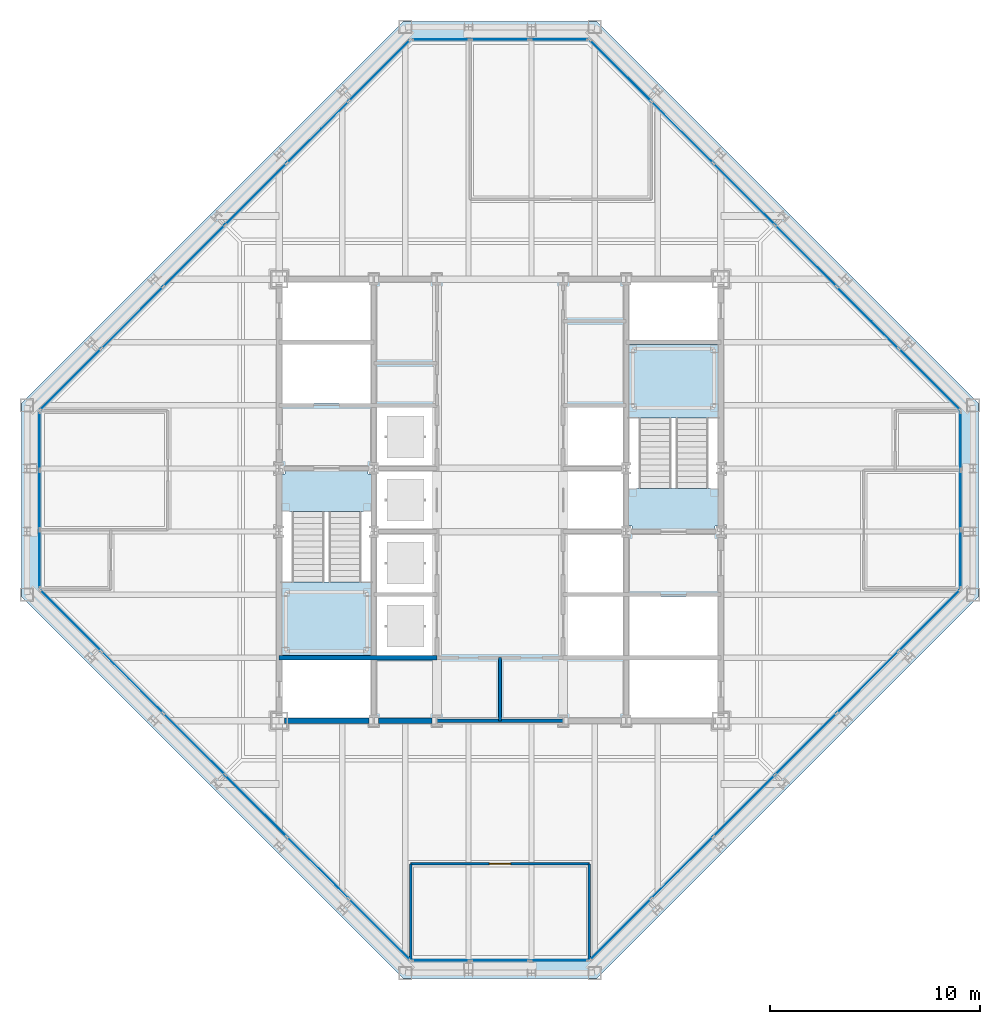
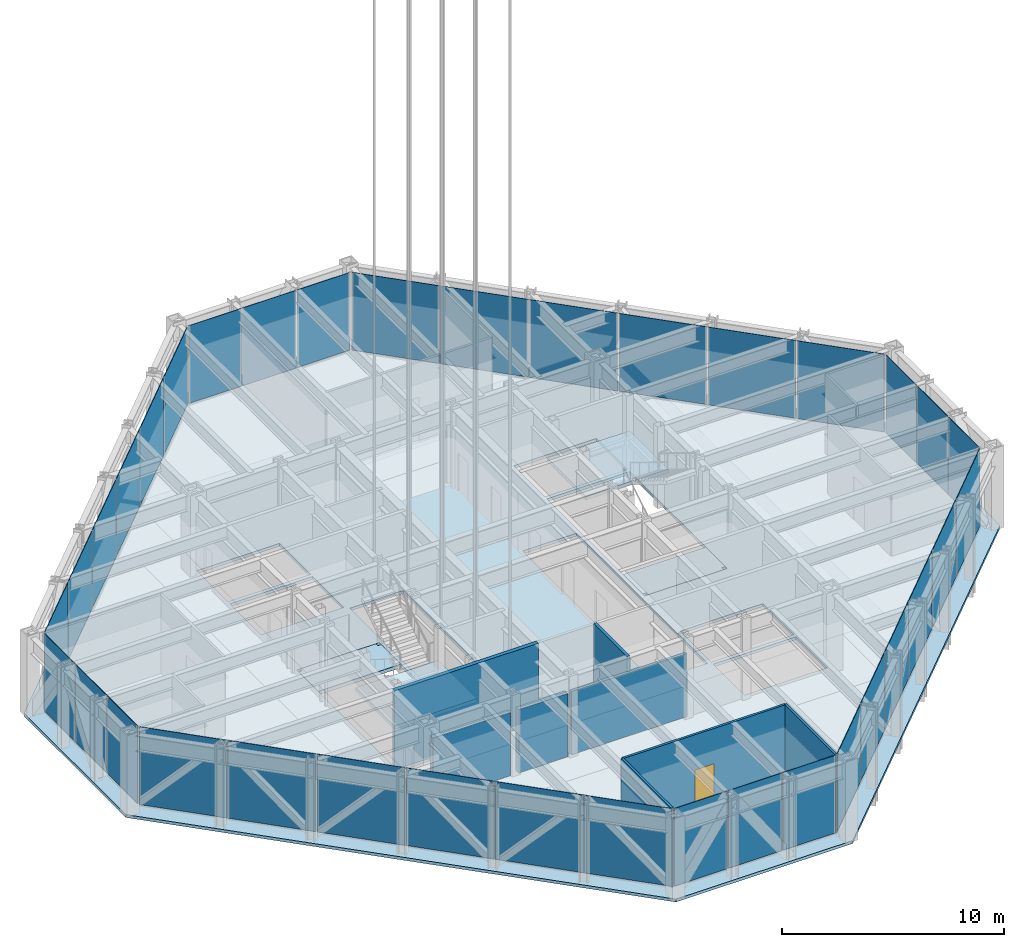
# One storey, part 9 of 24: 36 plates, 8 walls, 5 slabs, 1 door, 1 opening, 10 elements without a shape of their own.
"""IFC4 building model written with IfcOpenShell, lengths in metres."""

from ifc_helpers import new_model, si_unit, direction, frame, frame_2d, origin, origin_2d, place, context, subcontext, project, spatial, polyline, rectangle, outline, extrude, material, layer, layer_set, type_object, element, fill, aggregate, save


model = new_model("IFC4")

# Units and contexts
model_context = context("Model", 3, precision=1e-05, world=origin(), true_north=direction((0.0, 1.0)))
body_context = subcontext(model_context, "Body", "Model", "MODEL_VIEW")
ifc_project = project(units=[si_unit("LENGTHUNIT", "METRE"), si_unit("AREAUNIT", "SQUARE_METRE"), si_unit("VOLUMEUNIT", "CUBIC_METRE"), si_unit("PLANEANGLEUNIT", "RADIAN"), si_unit("MASSUNIT", "GRAM", prefix="KILO")], contexts=[model_context])

# Site, building, storey
site_placement = place(None, origin())
site = spatial("IfcSite", under=ifc_project, at=site_placement, CompositionType="ELEMENT")
building_placement = place(site_placement, origin())
building = spatial("IfcBuilding", under=site, at=building_placement, Name="Chuquiago Exchange Tower", CompositionType="ELEMENT")
storey_placement = place(building_placement, frame((0.0, 0.0, 257.699951171875)))
storey = spatial("IfcBuildingStorey", under=building, at=storey_placement, Name="L57", CompositionType="ELEMENT", Elevation=257.699951171875)

# Curtain wall, plate
ifc_material_1 = material(Name="Aluminium curtain wall system", Category="aluminium")
ifc_layer_1 = layer(ifc_material_1, 0.22509765625)
ifc_layer_set_1 = layer_set([ifc_layer_1], Name="CW2 office curtain wall")
curtain_wall_type_1 = type_object("IfcCurtainWallType", Name="CW2 office curtain wall", PredefinedType="NOTDEFINED", material=ifc_layer_set_1)
curtain_wall_1_placement = place(storey_placement, origin())
curtain_wall_1 = element("IfcCurtainWall", 1, at=curtain_wall_1_placement, inside=storey, type_object=curtain_wall_type_1, Name="CW2 curtain wall L57", PredefinedType="NOTDEFINED")
ifc_material_2 = material(Name="Glass, insulating unit", Category="glass")
ifc_layer_2 = layer(ifc_material_2, 0.030029296875)
ifc_layer_set_2 = layer_set([ifc_layer_2], Name="CW2-P panel 30")
plate_type_1 = type_object("IfcPlateType", Name="CW2-P panel 30", PredefinedType="CURTAIN_PANEL", material=ifc_layer_set_2)
plate_1_placement = place(storey_placement, frame((25.318115234375, 0.60009765625, 0.065185546875), z_axis=(0.0, 0.0, 1.0), x_axis=(1.0, 0.0, 0.0)))
plate_1 = element("IfcPlate", 2, at=plate_1_placement, type_object=plate_type_1, Name="CW2 panel 3.1", PredefinedType="CURTAIN_PANEL", context=body_context, shape_type="SweptSolid", body=[
    extrude(rectangle(XDim=2.73681640625, YDim=0.030029296875, at=origin_2d()), origin(), (0.0, 0.0, 1.0), 4.27490234375),
])

curtain_wall_2_placement = place(storey_placement, origin())
curtain_wall_2 = element("IfcCurtainWall", 3, at=curtain_wall_2_placement, inside=storey, type_object=curtain_wall_type_1, Name="CW2 curtain wall L57", PredefinedType="NOTDEFINED")
plate_2_placement = place(storey_placement, frame((44.39990234375, 25.318115234375, 0.065185546875), z_axis=(0.0, 0.0, 1.0), x_axis=(0.0, 1.0, 0.0)))
plate_2 = element("IfcPlate", 4, at=plate_2_placement, type_object=plate_type_1, Name="CW2 panel 3.1", PredefinedType="CURTAIN_PANEL", context=body_context, shape_type="SweptSolid", body=[
    extrude(rectangle(XDim=2.73681640625, YDim=0.030029296875, at=origin_2d()), origin(), (0.0, 0.0, 1.0), 4.27490234375),
])

curtain_wall_3_placement = place(storey_placement, origin())
curtain_wall_3 = element("IfcCurtainWall", 5, at=curtain_wall_3_placement, inside=storey, type_object=curtain_wall_type_1, Name="CW2 curtain wall L57", PredefinedType="NOTDEFINED")
plate_3_placement = place(storey_placement, frame((19.681884765625, 44.39990234375, 0.065185546875), z_axis=(0.0, 0.0, 1.0), x_axis=(-1.0, 0.0, 0.0)))
plate_3 = element("IfcPlate", 6, at=plate_3_placement, type_object=plate_type_1, Name="CW2 panel 3.1", PredefinedType="CURTAIN_PANEL", context=body_context, shape_type="SweptSolid", body=[
    extrude(rectangle(XDim=2.73681640625, YDim=0.030029296875, at=origin_2d()), origin(), (0.0, 0.0, 1.0), 4.27490234375),
])

curtain_wall_4_placement = place(storey_placement, origin())
curtain_wall_4 = element("IfcCurtainWall", 7, at=curtain_wall_4_placement, inside=storey, type_object=curtain_wall_type_1, Name="CW2 curtain wall L57", PredefinedType="NOTDEFINED")
plate_4_placement = place(storey_placement, frame((0.60009765625, 19.681884765625, 0.065185546875), z_axis=(0.0, 0.0, 1.0), x_axis=(0.0, -1.0, 0.0)))
plate_4 = element("IfcPlate", 8, at=plate_4_placement, type_object=plate_type_1, Name="CW2 panel 3.1", PredefinedType="CURTAIN_PANEL", context=body_context, shape_type="SweptSolid", body=[
    extrude(rectangle(XDim=2.73681640625, YDim=0.030029296875, at=origin_2d()), origin(), (0.0, 0.0, 1.0), 4.27490234375),
])

# Plate
ifc_material_3 = material(Name="Insulated spandrel panel, pale anodised aluminium", Category="aluminium")
ifc_layer_3 = layer(ifc_material_3, 0.030029296875)
ifc_layer_set_3 = layer_set([ifc_layer_3], Name="CW2-P spandrel panel 30")
plate_type_2 = type_object("IfcPlateType", Name="CW2-P spandrel panel 30", PredefinedType="CURTAIN_PANEL", material=ifc_layer_set_3)
plate_5_placement = place(storey_placement, frame((19.681884765625, 0.60009765625, 0.065185546875), z_axis=(0.0, 0.0, 1.0), x_axis=(1.0, 0.0, 0.0)))
plate_5 = element("IfcPlate", 9, at=plate_5_placement, type_object=plate_type_2, Name="CW2 panel 1.1", PredefinedType="CURTAIN_PANEL", context=body_context, shape_type="SweptSolid", body=[
    extrude(rectangle(XDim=2.73681640625, YDim=0.030029296875, at=origin_2d()), origin(), (0.0, 0.0, 1.0), 4.27490234375),
])

plate_6_placement = place(storey_placement, frame((22.5, 0.60009765625, 0.065185546875), z_axis=(0.0, 0.0, 1.0), x_axis=(1.0, 0.0, 0.0)))
plate_6 = element("IfcPlate", 10, at=plate_6_placement, type_object=plate_type_2, Name="CW2 panel 2.1", PredefinedType="CURTAIN_PANEL", context=body_context, shape_type="SweptSolid", body=[
    extrude(rectangle(XDim=2.769287109375, YDim=0.030029296875, at=origin_2d()), origin(), (0.0, 0.0, 1.0), 4.27490234375),
])

aggregate(curtain_wall_1, [plate_5, plate_6, plate_1])

plate_7_placement = place(storey_placement, frame((44.39990234375, 19.681884765625, 0.065185546875), z_axis=(0.0, 0.0, 1.0), x_axis=(0.0, 1.0, 0.0)))
plate_7 = element("IfcPlate", 11, at=plate_7_placement, type_object=plate_type_2, Name="CW2 panel 1.1", PredefinedType="CURTAIN_PANEL", context=body_context, shape_type="SweptSolid", body=[
    extrude(rectangle(XDim=2.73681640625, YDim=0.030029296875, at=origin_2d()), origin(), (0.0, 0.0, 1.0), 4.27490234375),
])

plate_8_placement = place(storey_placement, frame((44.39990234375, 22.5, 0.065185546875), z_axis=(0.0, 0.0, 1.0), x_axis=(0.0, 1.0, 0.0)))
plate_8 = element("IfcPlate", 12, at=plate_8_placement, type_object=plate_type_2, Name="CW2 panel 2.1", PredefinedType="CURTAIN_PANEL", context=body_context, shape_type="SweptSolid", body=[
    extrude(rectangle(XDim=2.769287109375, YDim=0.030029296875, at=origin_2d()), origin(), (0.0, 0.0, 1.0), 4.27490234375),
])

aggregate(curtain_wall_2, [plate_7, plate_8, plate_2])

plate_9_placement = place(storey_placement, frame((25.318115234375, 44.39990234375, 0.065185546875), z_axis=(0.0, 0.0, 1.0), x_axis=(-1.0, 0.0, 0.0)))
plate_9 = element("IfcPlate", 13, at=plate_9_placement, type_object=plate_type_2, Name="CW2 panel 1.1", PredefinedType="CURTAIN_PANEL", context=body_context, shape_type="SweptSolid", body=[
    extrude(rectangle(XDim=2.73681640625, YDim=0.030029296875, at=origin_2d()), origin(), (0.0, 0.0, 1.0), 4.27490234375),
])

plate_10_placement = place(storey_placement, frame((22.5, 44.39990234375, 0.065185546875), z_axis=(0.0, 0.0, 1.0), x_axis=(-1.0, 0.0, 0.0)))
plate_10 = element("IfcPlate", 14, at=plate_10_placement, type_object=plate_type_2, Name="CW2 panel 2.1", PredefinedType="CURTAIN_PANEL", context=body_context, shape_type="SweptSolid", body=[
    extrude(rectangle(XDim=2.769287109375, YDim=0.030029296875, at=origin_2d()), origin(), (0.0, 0.0, 1.0), 4.27490234375),
])

aggregate(curtain_wall_3, [plate_9, plate_10, plate_3])

plate_11_placement = place(storey_placement, frame((0.60009765625, 25.318115234375, 0.065185546875), z_axis=(0.0, 0.0, 1.0), x_axis=(0.0, -1.0, 0.0)))
plate_11 = element("IfcPlate", 15, at=plate_11_placement, type_object=plate_type_2, Name="CW2 panel 1.1", PredefinedType="CURTAIN_PANEL", context=body_context, shape_type="SweptSolid", body=[
    extrude(rectangle(XDim=2.73681640625, YDim=0.030029296875, at=origin_2d()), origin(), (0.0, 0.0, 1.0), 4.27490234375),
])

plate_12_placement = place(storey_placement, frame((0.60009765625, 22.5, 0.065185546875), z_axis=(0.0, 0.0, 1.0), x_axis=(0.0, -1.0, 0.0)))
plate_12 = element("IfcPlate", 16, at=plate_12_placement, type_object=plate_type_2, Name="CW2 panel 2.1", PredefinedType="CURTAIN_PANEL", context=body_context, shape_type="SweptSolid", body=[
    extrude(rectangle(XDim=2.769287109375, YDim=0.030029296875, at=origin_2d()), origin(), (0.0, 0.0, 1.0), 4.27490234375),
])

aggregate(curtain_wall_4, [plate_11, plate_12, plate_4])

# Curtain wall, plates
ifc_material_4 = material(Name="Aluminium curtain wall system", Category="aluminium")
ifc_layer_4 = layer(ifc_material_4, 0.199951171875)
ifc_layer_set_4 = layer_set([ifc_layer_4], Name="CW3 facet curtain wall")
curtain_wall_type_2 = type_object("IfcCurtainWallType", Name="CW3 facet curtain wall", PredefinedType="NOTDEFINED", material=ifc_layer_set_4)
curtain_wall_5_placement = place(storey_placement, origin())
curtain_wall_5 = element("IfcCurtainWall", 17, at=curtain_wall_5_placement, inside=storey, type_object=curtain_wall_type_2, Name="CW3 curtain wall L57", PredefinedType="NOTDEFINED")
ifc_material_5 = material(Name="Insulated spandrel panel, pale anodised aluminium", Category="aluminium")
ifc_layer_5 = layer(ifc_material_5, 0.030029296875)
ifc_layer_set_5 = layer_set([ifc_layer_5], Name="CW3-P spandrel panel 30")
plate_type_3 = type_object("IfcPlateType", Name="CW3-P spandrel panel 30", PredefinedType="CURTAIN_PANEL", material=ifc_layer_set_5)
plate_13_placement = place(storey_placement, frame((28.233642578125, 2.082275390625, 0.065185546875), z_axis=(0.0, 0.0, 1.0), x_axis=(0.707106781187, 0.707106781187, 0.0)))
plate_13 = element("IfcPlate", 18, at=plate_13_placement, type_object=plate_type_3, Name="CW3 panel 1.1", PredefinedType="CURTAIN_PANEL", context=body_context, shape_type="SweptSolid", body=[
    extrude(rectangle(XDim=4.062255859375, YDim=0.030029296875, at=origin_2d()), origin(), (0.0, 0.0, 1.0), 4.27490234375),
])
plate_14_placement = place(storey_placement, frame((31.16357421875, 5.01220703125, 0.065185546875), z_axis=(0.0, 0.0, 1.0), x_axis=(0.707106781187, 0.707106781187, 0.0)))
plate_14 = element("IfcPlate", 19, at=plate_14_placement, type_object=plate_type_3, Name="CW3 panel 2.1", PredefinedType="CURTAIN_PANEL", context=body_context, shape_type="SweptSolid", body=[
    extrude(rectangle(XDim=4.0947265625, YDim=0.030029296875, at=origin_2d()), origin(), (0.0, 0.0, 1.0), 4.27490234375),
])
plate_15_placement = place(storey_placement, frame((34.10498046875, 7.95361328125, 0.065185546875), z_axis=(0.0, 0.0, 1.0), x_axis=(0.707106781187, 0.707106781187, 0.0)))
plate_15 = element("IfcPlate", 20, at=plate_15_placement, type_object=plate_type_3, Name="CW3 panel 3.1", PredefinedType="CURTAIN_PANEL", context=body_context, shape_type="SweptSolid", body=[
    extrude(rectangle(XDim=4.0947265625, YDim=0.030029296875, at=origin_2d()), origin(), (0.0, 0.0, 1.0), 4.27490234375),
])
plate_16_placement = place(storey_placement, frame((37.04638671875, 10.89501953125, 0.065185546875), z_axis=(0.0, 0.0, 1.0), x_axis=(0.707106781187, 0.707106781187, 0.0)))
plate_16 = element("IfcPlate", 21, at=plate_16_placement, type_object=plate_type_3, Name="CW3 panel 4.1", PredefinedType="CURTAIN_PANEL", context=body_context, shape_type="SweptSolid", body=[
    extrude(rectangle(XDim=4.0947265625, YDim=0.030029296875, at=origin_2d()), origin(), (0.0, 0.0, 1.0), 4.27490234375),
])
plate_17_placement = place(storey_placement, frame((39.98779296875, 13.83642578125, 0.065185546875), z_axis=(0.0, 0.0, 1.0), x_axis=(0.707106781187, 0.707106781187, 0.0)))
plate_17 = element("IfcPlate", 22, at=plate_17_placement, type_object=plate_type_3, Name="CW3 panel 5.1", PredefinedType="CURTAIN_PANEL", context=body_context, shape_type="SweptSolid", body=[
    extrude(rectangle(XDim=4.0947265625, YDim=0.030029296875, at=origin_2d()), origin(), (0.0, 0.0, 1.0), 4.27490234375),
])
plate_18_placement = place(storey_placement, frame((42.917724609375, 16.766357421875, 0.065185546875), z_axis=(0.0, 0.0, 1.0), x_axis=(0.707106781187, 0.707106781187, 0.0)))
plate_18 = element("IfcPlate", 23, at=plate_18_placement, type_object=plate_type_3, Name="CW3 panel 6.1", PredefinedType="CURTAIN_PANEL", context=body_context, shape_type="SweptSolid", body=[
    extrude(rectangle(XDim=4.062255859375, YDim=0.030029296875, at=origin_2d()), origin(), (0.0, 0.0, 1.0), 4.27490234375),
])
aggregate(curtain_wall_5, [plate_13, plate_14, plate_15, plate_16, plate_17, plate_18])

curtain_wall_6_placement = place(storey_placement, origin())
curtain_wall_6 = element("IfcCurtainWall", 24, at=curtain_wall_6_placement, inside=storey, type_object=curtain_wall_type_2, Name="CW3 curtain wall L57", PredefinedType="NOTDEFINED")
plate_19_placement = place(storey_placement, frame((42.917724609375, 28.233642578125, 0.065185546875), z_axis=(0.0, 0.0, 1.0), x_axis=(-0.707106781187, 0.707106781187, 0.0)))
plate_19 = element("IfcPlate", 25, at=plate_19_placement, type_object=plate_type_3, Name="CW3 panel 1.1", PredefinedType="CURTAIN_PANEL", context=body_context, shape_type="SweptSolid", body=[
    extrude(rectangle(XDim=4.062255859375, YDim=0.030029296875, at=origin_2d()), origin(), (0.0, 0.0, 1.0), 4.27490234375),
])
plate_20_placement = place(storey_placement, frame((39.98779296875, 31.16357421875, 0.065185546875), z_axis=(0.0, 0.0, 1.0), x_axis=(-0.707106781187, 0.707106781187, 0.0)))
plate_20 = element("IfcPlate", 26, at=plate_20_placement, type_object=plate_type_3, Name="CW3 panel 2.1", PredefinedType="CURTAIN_PANEL", context=body_context, shape_type="SweptSolid", body=[
    extrude(rectangle(XDim=4.0947265625, YDim=0.030029296875, at=origin_2d()), origin(), (0.0, 0.0, 1.0), 4.27490234375),
])
plate_21_placement = place(storey_placement, frame((37.04638671875, 34.10498046875, 0.065185546875), z_axis=(0.0, 0.0, 1.0), x_axis=(-0.707106781187, 0.707106781187, 0.0)))
plate_21 = element("IfcPlate", 27, at=plate_21_placement, type_object=plate_type_3, Name="CW3 panel 3.1", PredefinedType="CURTAIN_PANEL", context=body_context, shape_type="SweptSolid", body=[
    extrude(rectangle(XDim=4.0947265625, YDim=0.030029296875, at=origin_2d()), origin(), (0.0, 0.0, 1.0), 4.27490234375),
])
plate_22_placement = place(storey_placement, frame((34.10498046875, 37.04638671875, 0.065185546875), z_axis=(0.0, 0.0, 1.0), x_axis=(-0.707106781187, 0.707106781187, 0.0)))
plate_22 = element("IfcPlate", 28, at=plate_22_placement, type_object=plate_type_3, Name="CW3 panel 4.1", PredefinedType="CURTAIN_PANEL", context=body_context, shape_type="SweptSolid", body=[
    extrude(rectangle(XDim=4.0947265625, YDim=0.030029296875, at=origin_2d()), origin(), (0.0, 0.0, 1.0), 4.27490234375),
])
plate_23_placement = place(storey_placement, frame((31.16357421875, 39.98779296875, 0.065185546875), z_axis=(0.0, 0.0, 1.0), x_axis=(-0.707106781187, 0.707106781187, 0.0)))
plate_23 = element("IfcPlate", 29, at=plate_23_placement, type_object=plate_type_3, Name="CW3 panel 5.1", PredefinedType="CURTAIN_PANEL", context=body_context, shape_type="SweptSolid", body=[
    extrude(rectangle(XDim=4.0947265625, YDim=0.030029296875, at=origin_2d()), origin(), (0.0, 0.0, 1.0), 4.27490234375),
])
plate_24_placement = place(storey_placement, frame((28.233642578125, 42.917724609375, 0.065185546875), z_axis=(0.0, 0.0, 1.0), x_axis=(-0.707106781187, 0.707106781187, 0.0)))
plate_24 = element("IfcPlate", 30, at=plate_24_placement, type_object=plate_type_3, Name="CW3 panel 6.1", PredefinedType="CURTAIN_PANEL", context=body_context, shape_type="SweptSolid", body=[
    extrude(rectangle(XDim=4.062255859375, YDim=0.030029296875, at=origin_2d()), origin(), (0.0, 0.0, 1.0), 4.27490234375),
])
aggregate(curtain_wall_6, [plate_19, plate_20, plate_21, plate_22, plate_23, plate_24])

curtain_wall_7_placement = place(storey_placement, origin())
curtain_wall_7 = element("IfcCurtainWall", 31, at=curtain_wall_7_placement, inside=storey, type_object=curtain_wall_type_2, Name="CW3 curtain wall L57", PredefinedType="NOTDEFINED")
plate_25_placement = place(storey_placement, frame((16.766357421875, 42.917724609375, 0.065185546875), z_axis=(0.0, 0.0, 1.0), x_axis=(-0.707106781187, -0.707106781187, 0.0)))
plate_25 = element("IfcPlate", 32, at=plate_25_placement, type_object=plate_type_3, Name="CW3 panel 1.1", PredefinedType="CURTAIN_PANEL", context=body_context, shape_type="SweptSolid", body=[
    extrude(rectangle(XDim=4.062255859375, YDim=0.030029296875, at=origin_2d()), origin(), (0.0, 0.0, 1.0), 4.27490234375),
])
plate_26_placement = place(storey_placement, frame((13.83642578125, 39.98779296875, 0.065185546875), z_axis=(0.0, 0.0, 1.0), x_axis=(-0.707106781187, -0.707106781187, 0.0)))
plate_26 = element("IfcPlate", 33, at=plate_26_placement, type_object=plate_type_3, Name="CW3 panel 2.1", PredefinedType="CURTAIN_PANEL", context=body_context, shape_type="SweptSolid", body=[
    extrude(rectangle(XDim=4.0947265625, YDim=0.030029296875, at=origin_2d()), origin(), (0.0, 0.0, 1.0), 4.27490234375),
])
plate_27_placement = place(storey_placement, frame((10.89501953125, 37.04638671875, 0.065185546875), z_axis=(0.0, 0.0, 1.0), x_axis=(-0.707106781187, -0.707106781187, 0.0)))
plate_27 = element("IfcPlate", 34, at=plate_27_placement, type_object=plate_type_3, Name="CW3 panel 3.1", PredefinedType="CURTAIN_PANEL", context=body_context, shape_type="SweptSolid", body=[
    extrude(rectangle(XDim=4.0947265625, YDim=0.030029296875, at=origin_2d()), origin(), (0.0, 0.0, 1.0), 4.27490234375),
])
plate_28_placement = place(storey_placement, frame((7.95361328125, 34.10498046875, 0.065185546875), z_axis=(0.0, 0.0, 1.0), x_axis=(-0.707106781187, -0.707106781187, 0.0)))
plate_28 = element("IfcPlate", 35, at=plate_28_placement, type_object=plate_type_3, Name="CW3 panel 4.1", PredefinedType="CURTAIN_PANEL", context=body_context, shape_type="SweptSolid", body=[
    extrude(rectangle(XDim=4.0947265625, YDim=0.030029296875, at=origin_2d()), origin(), (0.0, 0.0, 1.0), 4.27490234375),
])
plate_29_placement = place(storey_placement, frame((5.01220703125, 31.16357421875, 0.065185546875), z_axis=(0.0, 0.0, 1.0), x_axis=(-0.707106781187, -0.707106781187, 0.0)))
plate_29 = element("IfcPlate", 36, at=plate_29_placement, type_object=plate_type_3, Name="CW3 panel 5.1", PredefinedType="CURTAIN_PANEL", context=body_context, shape_type="SweptSolid", body=[
    extrude(rectangle(XDim=4.0947265625, YDim=0.030029296875, at=origin_2d()), origin(), (0.0, 0.0, 1.0), 4.27490234375),
])
plate_30_placement = place(storey_placement, frame((2.082275390625, 28.233642578125, 0.065185546875), z_axis=(0.0, 0.0, 1.0), x_axis=(-0.707106781187, -0.707106781187, 0.0)))
plate_30 = element("IfcPlate", 37, at=plate_30_placement, type_object=plate_type_3, Name="CW3 panel 6.1", PredefinedType="CURTAIN_PANEL", context=body_context, shape_type="SweptSolid", body=[
    extrude(rectangle(XDim=4.062255859375, YDim=0.030029296875, at=origin_2d()), origin(), (0.0, 0.0, 1.0), 4.27490234375),
])
aggregate(curtain_wall_7, [plate_25, plate_26, plate_27, plate_28, plate_29, plate_30])

curtain_wall_8_placement = place(storey_placement, origin())
curtain_wall_8 = element("IfcCurtainWall", 38, at=curtain_wall_8_placement, inside=storey, type_object=curtain_wall_type_2, Name="CW3 curtain wall L57", PredefinedType="NOTDEFINED")
plate_31_placement = place(storey_placement, frame((2.082275390625, 16.766357421875, 0.065185546875), z_axis=(0.0, 0.0, 1.0), x_axis=(0.707106781187, -0.707106781187, 0.0)))
plate_31 = element("IfcPlate", 39, at=plate_31_placement, type_object=plate_type_3, Name="CW3 panel 1.1", PredefinedType="CURTAIN_PANEL", context=body_context, shape_type="SweptSolid", body=[
    extrude(rectangle(XDim=4.062255859375, YDim=0.030029296875, at=origin_2d()), origin(), (0.0, 0.0, 1.0), 4.27490234375),
])
plate_32_placement = place(storey_placement, frame((5.01220703125, 13.83642578125, 0.065185546875), z_axis=(0.0, 0.0, 1.0), x_axis=(0.707106781187, -0.707106781187, 0.0)))
plate_32 = element("IfcPlate", 40, at=plate_32_placement, type_object=plate_type_3, Name="CW3 panel 2.1", PredefinedType="CURTAIN_PANEL", context=body_context, shape_type="SweptSolid", body=[
    extrude(rectangle(XDim=4.0947265625, YDim=0.030029296875, at=origin_2d()), origin(), (0.0, 0.0, 1.0), 4.27490234375),
])
plate_33_placement = place(storey_placement, frame((7.95361328125, 10.89501953125, 0.065185546875), z_axis=(0.0, 0.0, 1.0), x_axis=(0.707106781187, -0.707106781187, 0.0)))
plate_33 = element("IfcPlate", 41, at=plate_33_placement, type_object=plate_type_3, Name="CW3 panel 3.1", PredefinedType="CURTAIN_PANEL", context=body_context, shape_type="SweptSolid", body=[
    extrude(rectangle(XDim=4.0947265625, YDim=0.030029296875, at=origin_2d()), origin(), (0.0, 0.0, 1.0), 4.27490234375),
])
plate_34_placement = place(storey_placement, frame((10.89501953125, 7.95361328125, 0.065185546875), z_axis=(0.0, 0.0, 1.0), x_axis=(0.707106781187, -0.707106781187, 0.0)))
plate_34 = element("IfcPlate", 42, at=plate_34_placement, type_object=plate_type_3, Name="CW3 panel 4.1", PredefinedType="CURTAIN_PANEL", context=body_context, shape_type="SweptSolid", body=[
    extrude(rectangle(XDim=4.0947265625, YDim=0.030029296875, at=origin_2d()), origin(), (0.0, 0.0, 1.0), 4.27490234375),
])
plate_35_placement = place(storey_placement, frame((13.83642578125, 5.01220703125, 0.065185546875), z_axis=(0.0, 0.0, 1.0), x_axis=(0.707106781187, -0.707106781187, 0.0)))
plate_35 = element("IfcPlate", 43, at=plate_35_placement, type_object=plate_type_3, Name="CW3 panel 5.1", PredefinedType="CURTAIN_PANEL", context=body_context, shape_type="SweptSolid", body=[
    extrude(rectangle(XDim=4.0947265625, YDim=0.030029296875, at=origin_2d()), origin(), (0.0, 0.0, 1.0), 4.27490234375),
])
plate_36_placement = place(storey_placement, frame((16.766357421875, 2.082275390625, 0.065185546875), z_axis=(0.0, 0.0, 1.0), x_axis=(0.707106781187, -0.707106781187, 0.0)))
plate_36 = element("IfcPlate", 44, at=plate_36_placement, type_object=plate_type_3, Name="CW3 panel 6.1", PredefinedType="CURTAIN_PANEL", context=body_context, shape_type="SweptSolid", body=[
    extrude(rectangle(XDim=4.062255859375, YDim=0.030029296875, at=origin_2d()), origin(), (0.0, 0.0, 1.0), 4.27490234375),
])
aggregate(curtain_wall_8, [plate_31, plate_32, plate_33, plate_34, plate_35, plate_36])

# Slab
ifc_material_6 = material(Name="Concrete C30/37", Category="concrete")
ifc_layer_6 = layer(ifc_material_6, 0.159912109375)
ifc_layer_set_6 = layer_set([ifc_layer_6], Name="FS1 composite floor 160")
slab_type_1 = type_object("IfcSlabType", Name="FS1 composite floor 160", PredefinedType="FLOOR", material=ifc_layer_set_6)
slab_1_placement = place(storey_placement, frame((0.0, 0.0, -0.159912109375)))
element("IfcSlab", 45, at=slab_1_placement, inside=storey, type_object=slab_type_1, Name="L57 floor slab", PredefinedType="FLOOR", context=body_context, shape_type="SweptSolid", body=[
    extrude(outline(polyline([(17.896484375, -0.25), (-0.25, 17.896484375), (-0.25, 27.103515625), (17.896484375, 45.25), (27.103515625, 45.25), (45.25, 27.103515625), (45.25, 17.896484375), (27.103515625, -0.25), (17.896484375, -0.25)]), holes=[polyline([(16.39990234375, 15.10009765625), (12.10009765625, 15.10009765625), (12.10009765625, 23.89990234375), (16.39990234375, 23.89990234375), (16.39990234375, 15.10009765625)]), polyline([(32.89990234375, 21.10009765625), (28.60009765625, 21.10009765625), (28.60009765625, 29.89990234375), (32.89990234375, 29.89990234375), (32.89990234375, 21.10009765625)]), polyline([(16.39990234375, 12.10009765625), (12.10009765625, 12.10009765625), (12.10009765625, 14.89990234375), (16.39990234375, 14.89990234375), (16.39990234375, 12.10009765625)]), polyline([(16.39990234375, 30.10009765625), (12.10009765625, 30.10009765625), (12.10009765625, 32.89990234375), (16.39990234375, 32.89990234375), (16.39990234375, 30.10009765625)]), polyline([(32.89990234375, 12.10009765625), (28.60009765625, 12.10009765625), (28.60009765625, 14.89990234375), (32.89990234375, 14.89990234375), (32.89990234375, 12.10009765625)]), polyline([(32.89990234375, 30.10009765625), (28.60009765625, 30.10009765625), (28.60009765625, 32.89990234375), (32.89990234375, 32.89990234375), (32.89990234375, 30.10009765625)]), polyline([(16.39990234375, 27.10009765625), (12.10009765625, 27.10009765625), (12.10009765625, 29.89990234375), (16.39990234375, 29.89990234375), (16.39990234375, 27.10009765625)]), polyline([(32.89990234375, 15.10009765625), (28.60009765625, 15.10009765625), (28.60009765625, 17.89990234375), (32.89990234375, 17.89990234375), (32.89990234375, 15.10009765625)]), polyline([(19.39990234375, 15.10009765625), (16.60009765625, 15.10009765625), (16.60009765625, 26.89990234375), (19.39990234375, 26.89990234375), (19.39990234375, 15.10009765625)]), polyline([(28.39990234375, 15.10009765625), (25.60009765625, 15.10009765625), (25.60009765625, 26.89990234375), (28.39990234375, 26.89990234375), (28.39990234375, 15.10009765625)])]), origin(), (0.0, 0.0, 1.0), 0.159912109375),
])

# Stair, slabs
ifc_material_7 = material(Name="Concrete C30/37, precast", Category="concrete")
stair_type_1 = type_object("IfcStairType", Name="ST1 half-turn stair 4500", PredefinedType="HALF_TURN_STAIR", material=ifc_material_7)
stair_1_placement = place(storey_placement, origin())
stair_1 = element("IfcStair", 46, at=stair_1_placement, inside=storey, type_object=stair_type_1, Name="Stair ST1 L57", PredefinedType="HALF_TURN_STAIR")
ifc_material_8 = material(Name="Concrete C30/37, precast", Category="concrete")
ifc_layer_7 = layer(ifc_material_8, 0.199951171875)
ifc_layer_set_7 = layer_set([ifc_layer_7], Name="ST-L landing 200")
slab_type_2 = type_object("IfcSlabType", Name="ST-L landing 200", PredefinedType="LANDING", material=ifc_layer_set_7)
slab_2_placement = place(storey_placement, frame((0.0, 0.0, -0.199951171875)))
slab_2 = element("IfcSlab", 47, at=slab_2_placement, type_object=slab_type_2, Name="ST1 landing 1", PredefinedType="LANDING", context=body_context, shape_type="SweptSolid", body=[
    extrude(outline(polyline([(12.27490234375, 23.89990234375), (16.22509765625, 23.89990234375), (16.22509765625, 23.72509765625), (16.39990234375, 23.72509765625), (16.39990234375, 21.949951171875), (12.10009765625, 21.949951171875), (12.10009765625, 23.72509765625), (12.27490234375, 23.72509765625), (12.27490234375, 23.89990234375)])), origin(), (0.0, 0.0, 1.0), 0.199951171875),
])
slab_3_placement = place(storey_placement, frame((0.0, 0.0, 2.050048828125)))
slab_3 = element("IfcSlab", 48, at=slab_3_placement, type_object=slab_type_2, Name="ST1 landing 2", PredefinedType="LANDING", context=body_context, shape_type="SweptSolid", body=[
    extrude(outline(polyline([(12.10009765625, 18.590087890625), (16.39990234375, 18.590087890625), (16.39990234375, 15.10009765625), (12.10009765625, 15.10009765625), (12.10009765625, 18.590087890625)])), origin(), (0.0, 0.0, 1.0), 0.199951171875),
])
aggregate(stair_1, [slab_2, slab_3])

ifc_material_9 = material(Name="Concrete C30/37, precast", Category="concrete")
stair_type_2 = type_object("IfcStairType", Name="ST2 half-turn stair 4500", PredefinedType="HALF_TURN_STAIR", material=ifc_material_9)
stair_2_placement = place(storey_placement, origin())
stair_2 = element("IfcStair", 49, at=stair_2_placement, inside=storey, type_object=stair_type_2, Name="Stair ST2 L57", PredefinedType="HALF_TURN_STAIR")
slab_4_placement = place(storey_placement, frame((0.0, 0.0, -0.199951171875)))
slab_4 = element("IfcSlab", 50, at=slab_4_placement, type_object=slab_type_2, Name="ST2 landing 1", PredefinedType="LANDING", context=body_context, shape_type="SweptSolid", body=[
    extrude(outline(polyline([(32.72509765625, 21.27490234375), (32.72509765625, 21.10009765625), (28.77490234375, 21.10009765625), (28.77490234375, 21.27490234375), (28.60009765625, 21.27490234375), (28.60009765625, 23.050048828125), (32.89990234375, 23.050048828125), (32.89990234375, 21.27490234375), (32.72509765625, 21.27490234375)])), origin(), (0.0, 0.0, 1.0), 0.199951171875),
])
slab_5_placement = place(storey_placement, frame((0.0, 0.0, 2.050048828125)))
slab_5 = element("IfcSlab", 51, at=slab_5_placement, type_object=slab_type_2, Name="ST2 landing 2", PredefinedType="LANDING", context=body_context, shape_type="SweptSolid", body=[
    extrude(outline(polyline([(28.60009765625, 29.89990234375), (32.89990234375, 29.89990234375), (32.89990234375, 26.409912109375), (28.60009765625, 26.409912109375), (28.60009765625, 29.89990234375)])), origin(), (0.0, 0.0, 1.0), 0.199951171875),
])
aggregate(stair_2, [slab_4, slab_5])

# Walls
ifc_material_10 = material(Name="Concrete masonry, fully grouted", Category="masonry")
ifc_layer_8 = layer(ifc_material_10, 0.25)
ifc_layer_set_8 = layer_set([ifc_layer_8], Name="W1 core wall 250")
wall_type_1 = type_object("IfcWallType", Name="W1 core wall 250", PredefinedType="SOLIDWALL", material=ifc_layer_set_8)
wall_1_placement = place(storey_placement, frame((12.25, 12.0, 0.0), z_axis=(0.0, 0.0, 1.0), x_axis=(1.0, 0.0, 0.0)))
element("IfcWall", 52, at=wall_1_placement, inside=storey, type_object=wall_type_1, Name="CW-L57-01-0", PredefinedType="SOLIDWALL", context=body_context, shape_type="SweptSolid", body=[
    extrude(rectangle(XDim=4.025146484375, YDim=0.25, at=frame_2d((2.0126953125, 0.0))), origin(), (0.0, 0.0, 1.0), 3.4814453125),
])
wall_2_placement = place(storey_placement, frame((16.724853515625, 12.0, 0.0), z_axis=(0.0, 0.0, 1.0), x_axis=(1.0, 0.0, 0.0)))
element("IfcWall", 53, at=wall_2_placement, inside=storey, type_object=wall_type_1, Name="CW-L57-01-1", PredefinedType="SOLIDWALL", context=body_context, shape_type="SweptSolid", body=[
    extrude(rectangle(XDim=2.55029296875, YDim=0.25, at=frame_2d((1.275146484375, 0.0))), origin(), (0.0, 0.0, 1.0), 3.4814453125),
])
ifc_material_11 = material(Name="Concrete masonry, fully grouted", Category="masonry")
ifc_layer_9 = layer(ifc_material_11, 0.199951171875)
ifc_layer_set_9 = layer_set([ifc_layer_9], Name="W2 shaft wall 200")
wall_type_2 = type_object("IfcWallType", Name="W2 shaft wall 200", PredefinedType="SOLIDWALL", material=ifc_layer_set_9)
wall_3_placement = place(storey_placement, frame((12.0, 15.0, 0.0), z_axis=(0.0, 0.0, 1.0), x_axis=(1.0, 0.0, 0.0)))
element("IfcWall", 54, at=wall_3_placement, inside=storey, type_object=wall_type_2, Name="CW-L57-03-0", PredefinedType="SOLIDWALL", context=body_context, shape_type="SweptSolid", body=[
    extrude(rectangle(XDim=7.5, YDim=0.199951171875, at=frame_2d((3.75, 0.0))), origin(), (0.0, 0.0, 1.0), 4.340087890625),
])
ifc_material_12 = material(Name="Gypsum board on steel studs", Category="steel")
ifc_layer_10 = layer(ifc_material_12, 0.14990234375)
ifc_layer_set_10 = layer_set([ifc_layer_10], Name="W3 core partition 150")
wall_type_3 = type_object("IfcWallType", Name="W3 core partition 150", PredefinedType="PARTITIONING", material=ifc_layer_set_10)
wall_4_placement = place(storey_placement, frame((22.5, 15.0, 0.0), z_axis=(0.0, 0.0, 1.0), x_axis=(0.0, -1.0, 0.0)))
element("IfcWall", 55, at=wall_4_placement, inside=storey, type_object=wall_type_3, Name="CW-L57-TM", PredefinedType="PARTITIONING", context=body_context, shape_type="SweptSolid", body=[
    extrude(rectangle(XDim=3.0, YDim=0.14990234375, at=frame_2d((1.5, 0.0))), origin(), (0.0, 0.0, 1.0), 4.340087890625),
])
wall_5_placement = place(storey_placement, frame((19.5, 12.0, 0.0), z_axis=(0.0, 0.0, 1.0), x_axis=(1.0, 0.0, 0.0)))
element("IfcWall", 56, at=wall_5_placement, inside=storey, type_object=wall_type_3, Name="CW-L57-TB", PredefinedType="PARTITIONING", context=body_context, shape_type="SweptSolid", body=[
    extrude(rectangle(XDim=6.0, YDim=0.14990234375, at=frame_2d((3.0, 0.0))), origin(), (0.0, 0.0, 1.0), 3.4814453125),
])
ifc_material_13 = material(Name="Gypsum board on steel studs", Category="steel")
ifc_layer_11 = layer(ifc_material_13, 0.1201171875)
ifc_layer_set_11 = layer_set([ifc_layer_11], Name="W4 partition 120")
wall_type_4 = type_object("IfcWallType", Name="W4 partition 120", PredefinedType="PARTITIONING", material=ifc_layer_set_11)
for number, where, z_axis, x_axis, name in (
    (57, (18.24853515625, 0.666015625, 0.0), (0.0, 0.0, 1.0), (0.0, 1.0, 0.0), "PW-L57-S01825"),
    (58, (26.75146484375, 0.666015625, 0.0), (0.0, 0.0, 1.0), (0.0, 1.0, 0.0), "PW-L57-S02675"),
):
    element("IfcWall", number, at=place(storey_placement, frame(where, z_axis=z_axis, x_axis=x_axis)), inside=storey, type_object=wall_type_4, Name=name, PredefinedType="PARTITIONING", context=body_context, shape_type="SweptSolid", body=[
        extrude(rectangle(XDim=4.533935546875, YDim=0.1201171875, at=frame_2d((2.26708984375, 0.0))), origin(), (0.0, 0.0, 1.0), 4.340087890625),
    ])

# Wall, opening, door
wall_6_placement = place(storey_placement, frame((18.24853515625, 5.199951171875, 0.0), z_axis=(0.0, 0.0, 1.0), x_axis=(1.0, 0.0, 0.0)))
wall_6 = element("IfcWall", 59, at=wall_6_placement, inside=storey, type_object=wall_type_4, Name="PW-L57-SF01825", PredefinedType="PARTITIONING", context=body_context, shape_type="SweptSolid", body=[
    extrude(rectangle(XDim=8.5029296875, YDim=0.1201171875, at=frame_2d((4.25146484375, 0.0))), origin(), (0.0, 0.0, 1.0), 4.340087890625),
])
opening_placement = place(wall_6_placement, frame((3.75146484375, 0.0, 0.0)))
opening = element("IfcOpeningElement", 60, at=opening_placement, cuts=wall_6, Name="Opening L57-025", PredefinedType="OPENING", context=body_context, shape_type="SweptSolid", body=[
    extrude(rectangle(XDim=1.0, YDim=2.39990234375, at=frame_2d((0.5, 1.199951171875))), frame((0.0, 0.070068359375, 0.0), z_axis=(0.0, -1.0, 0.0), x_axis=(1.0, 0.0, 0.0)), (0.0, 0.0, 1.0), 0.14013671875),
])
ifc_material_14 = material(Name="Timber door, laminate faced", Category="wood")
door_type = type_object("IfcDoorType", Name="D9 room door 1000x2400", OperationType="SINGLE_SWING_LEFT", PredefinedType="DOOR", material=ifc_material_14)
door_placement = place(opening_placement, frame((1.0, 0.0, 0.0), z_axis=(0.0, 0.0, 1.0), x_axis=(-1.0, 0.0, 0.0)))
door = element("IfcDoor", 61, at=door_placement, inside=storey, type_object=door_type, Name="Reception door", OperationType="SINGLE_SWING_RIGHT", OverallHeight=2.39990234375, OverallWidth=1.0, PredefinedType="DOOR", context=body_context, shape_type="SweptSolid", body=[
    extrude(rectangle(XDim=1.0, YDim=2.39990234375, at=frame_2d((0.5, 1.199951171875))), frame((0.0, 0.02490234375, 0.0), z_axis=(0.0, -1.0, 0.0), x_axis=(1.0, 0.0, 0.0)), (0.0, 0.0, 1.0), 0.050048828125),
])
fill(opening, door)

save(model, "model.ifc")
